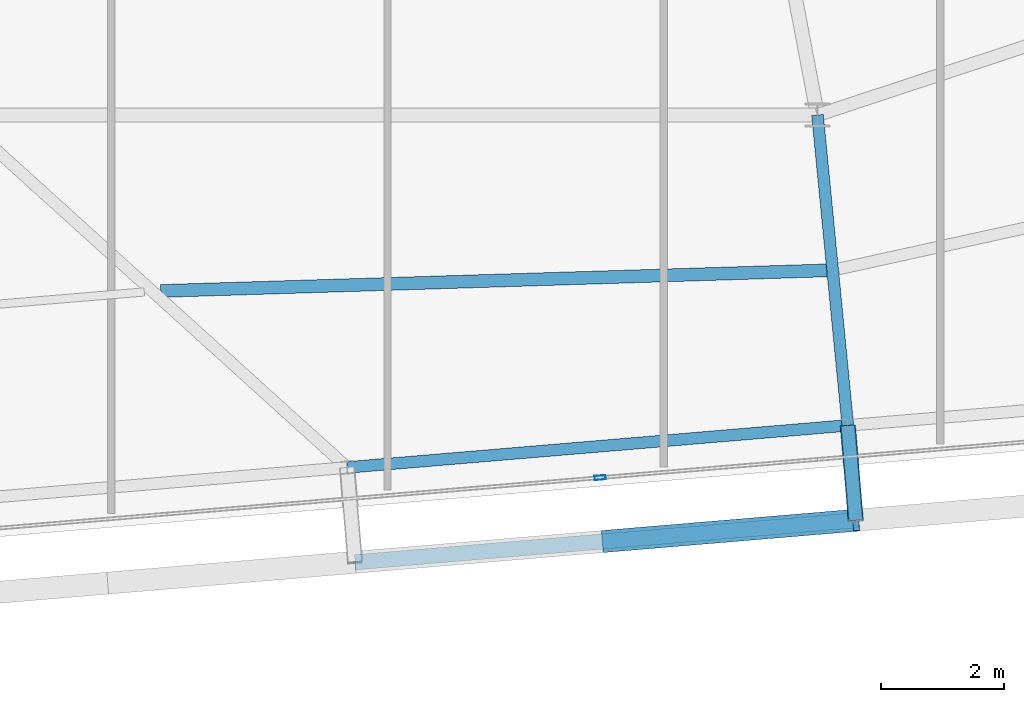
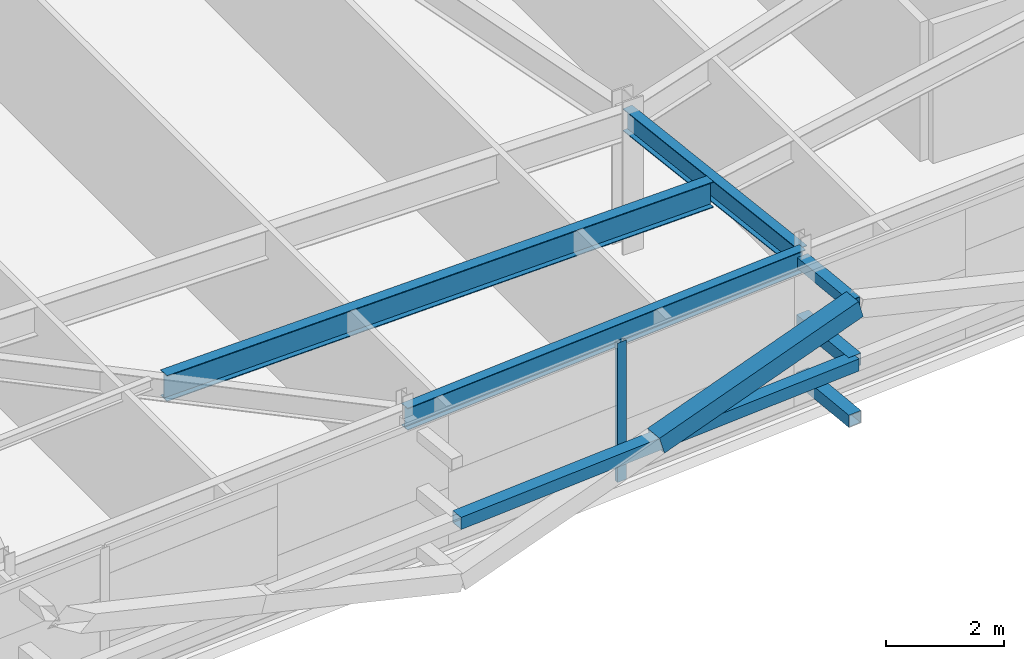
# One storey, part 10 of 39: 6 members, 3 beams, 1 element without a shape of its own.
"""IFC4 building model written with IfcOpenShell, lengths in metres."""

from ifc_helpers import new_model, si_unit, direction, frame, origin, origin_2d, place, context, subcontext, project, spatial, hollow_rectangle, i_section, extrude, source, transform, mapped, material, layer, layer_set, material_profile, profile_set, type_object, element, aggregate, save


model = new_model("IFC4")

# Units and contexts
model_context = context("Model", 3, precision=1e-05, world=origin(), true_north=direction((0.0, 1.0)))
body_context = subcontext(model_context, "Body", "Model", "MODEL_VIEW")
ifc_project = project(units=[si_unit("LENGTHUNIT", "METRE"), si_unit("AREAUNIT", "SQUARE_METRE"), si_unit("VOLUMEUNIT", "CUBIC_METRE"), si_unit("PLANEANGLEUNIT", "RADIAN"), si_unit("MASSUNIT", "GRAM", prefix="KILO")], contexts=[model_context])

# Site, building, storey
site_placement = place(None, origin())
site = spatial("IfcSite", under=ifc_project, at=site_placement, CompositionType="ELEMENT")
building_placement = place(site_placement, origin())
building = spatial("IfcBuilding", under=site, at=building_placement, Name="Taldren Reach Tower", CompositionType="ELEMENT")
storey_placement = place(building_placement, frame((0.0, 0.0, 204.050048828125)))
storey = spatial("IfcBuildingStorey", under=building, at=storey_placement, Name="L62", CompositionType="ELEMENT", Elevation=204.050048828125)

# Members
ifc_material_1 = material(Name="Steel Gr 350 (C350L0)", Category="steel")
ifc_material_profile_1 = material_profile(ifc_material_1, hollow_rectangle(XDim=0.25, YDim=0.25, WallThickness=0.010009765625, at=origin_2d()), Name="250x250x10.0SHS")
ifc_profile_set_1 = profile_set([ifc_material_profile_1], Name="Steel Gr 350 (C350L0)")
member_type_1 = type_object("IfcMemberType", Name="MB-POST250", PredefinedType="POST", material=ifc_profile_set_1)
shared_shape_1 = source(origin(), body_context, "Body", "SweptSolid", [
    extrude(hollow_rectangle(XDim=0.25, YDim=0.25, WallThickness=0.010009765625, at=origin_2d()), origin(), (0.0, 0.0, 1.0), 1.5498046875),
])
for number, where, z_axis, x_axis, name in (
    (1, (42.49365234375, 4.1474609375, 0.219970703125), (0.083645141657, -0.996495604746, 0.0), (0.996495604746, 0.083645141657, 0.0), "Exoskeleton base diaphragm tie strut B4-S4 L62"),
    (2, (42.49365234375, 4.1474609375, 1.405029296875), (0.083645141657, -0.996495604746, 0.0), (0.996495604746, 0.083645141657, 0.0), "Exoskeleton mid-tier diaphragm tie B4-S4 L62"),
):
    element("IfcMember", number, at=place(storey_placement, frame(where, z_axis=z_axis, x_axis=x_axis)), inside=storey, type_object=member_type_1, Name=name, PredefinedType="POST", context=body_context, shape_type="MappedRepresentation", body=[
        mapped(shared_shape_1, transform((0.0, 0.0, 0.0), scale=1.0)),
    ])

# Beams
ifc_material_2 = material(Name="Steel Gr 350 (350PLUS)", Category="steel")
ifc_material_profile_2 = material_profile(ifc_material_2, i_section(OverallWidth=0.18994140625, OverallDepth=0.4541015625, WebThickness=0.008544921875, FlangeThickness=0.0126953125, at=origin_2d()), Name="460UB67.1")
ifc_profile_set_2 = profile_set([ifc_material_profile_2], Name="Steel Gr 350 (350PLUS)")
beam_type_1 = type_object("IfcBeamType", Name="SP-UB460B", PredefinedType="SPANDREL", material=ifc_profile_set_2)
shared_shape_2 = source(origin(), body_context, "Body", "SweptSolid", [
    extrude(i_section(OverallWidth=0.18994140625, OverallDepth=0.4541015625, WebThickness=0.008544921875, FlangeThickness=0.0126953125, at=origin_2d()), origin(), (0.0, 0.0, 1.0), 8.18017578125),
])
beam_1_placement = place(storey_placement, frame((34.34228515625, 3.462890625, 2.64306640625), z_axis=(0.996492034688, 0.083687662192, 0.0), x_axis=(-0.083687662192, 0.996492034688, 0.0)))
element("IfcBeam", 3, at=beam_1_placement, inside=storey, type_object=beam_type_1, Name="Perimeter spandrel B4 S3-S4 L62", PredefinedType="SPANDREL", context=body_context, shape_type="MappedRepresentation", body=[
    mapped(shared_shape_2, transform((0.0, 0.0, 0.0), scale=1.0)),
])
ifc_material_profile_3 = material_profile(ifc_material_2, i_section(OverallWidth=0.19091796875, OverallDepth=0.4599609375, WebThickness=0.010009765625, FlangeThickness=0.01611328125, at=origin_2d()), Name="460UB82.1")
ifc_profile_set_3 = profile_set([ifc_material_profile_3], Name="Steel Gr 350 (350PLUS)")
beam_type_2 = type_object("IfcBeamType", Name="BM-UB460A", PredefinedType="BEAM", material=ifc_profile_set_3)
shared_shape_3 = source(origin(), body_context, "Body", "SweptSolid", [
    extrude(i_section(OverallWidth=0.19091796875, OverallDepth=0.4599609375, WebThickness=0.010009765625, FlangeThickness=0.01611328125, at=origin_2d()), origin(), (0.0, 0.0, 1.0), 5.07666015625),
])
beam_2_placement = place(storey_placement, frame((42.0, 9.199951171875, 2.639892578125), z_axis=(0.097241716644, -0.995260794236, 0.0), x_axis=(0.995260794236, 0.097241716644, 0.0)))
element("IfcBeam", 4, at=beam_2_placement, inside=storey, type_object=beam_type_2, Name="Primary floor girder B4-S4 L62", PredefinedType="BEAM", context=body_context, shape_type="MappedRepresentation", body=[
    mapped(shared_shape_3, transform((0.0, 0.0, 0.0), scale=1.0)),
])
ifc_material_profile_4 = material_profile(ifc_material_2, i_section(OverallWidth=0.208984375, OverallDepth=0.532958984375, WebThickness=0.01025390625, FlangeThickness=0.015625, at=origin_2d()), Name="530UB92.4")
ifc_profile_set_4 = profile_set([ifc_material_profile_4], Name="Steel Gr 350 (350PLUS)")
beam_type_3 = type_object("IfcBeamType", Name="BM-UB530A", PredefinedType="BEAM", material=ifc_profile_set_4)
shared_shape_4 = source(origin(), body_context, "Body", "SweptSolid", [
    extrude(i_section(OverallWidth=0.208984375, OverallDepth=0.532958984375, WebThickness=0.01025390625, FlangeThickness=0.015625, at=origin_2d()), origin(), (0.0, 0.0, 1.0), 10.847412109375),
])
beam_3_placement = place(storey_placement, frame((31.308837890625, 6.335693359375, 2.603515625), z_axis=(0.999522428572, 0.030901695439, 0.0), x_axis=(-0.030901695439, 0.999522428572, 0.0)))
element("IfcBeam", 5, at=beam_3_placement, inside=storey, type_object=beam_type_3, Name="Secondary floor beam B4 J3 L62", PredefinedType="BEAM", context=body_context, shape_type="MappedRepresentation", body=[
    mapped(shared_shape_4, transform((0.0, 0.0, 0.0), scale=1.0)),
])

# Members
ifc_material_3 = material(Name="Steel Gr 450 (C450L0)", Category="steel")
ifc_material_profile_5 = material_profile(ifc_material_3, hollow_rectangle(XDim=0.219970703125, YDim=0.219970703125, WallThickness=0.00830078125, at=origin_2d()), Name="220x220x8.2SHS")
ifc_profile_set_5 = profile_set([ifc_material_profile_5], Name="Steel Gr 450 (C450L0)")
member_type_2 = type_object("IfcMemberType", Name="MB-TIE219", PredefinedType="STRUT", material=ifc_profile_set_5)
shared_shape_5 = source(origin(), body_context, "Body", "SweptSolid", [
    extrude(hollow_rectangle(XDim=0.219970703125, YDim=0.219970703125, WallThickness=0.00830078125, at=origin_2d()), origin(), (0.0, 0.0, 1.0), 1.5498046875),
])
member_1_placement = place(storey_placement, frame((42.49365234375, 4.1474609375, 2.58984375), z_axis=(0.083645141657, -0.996495604746, 0.0), x_axis=(0.996495604746, 0.083645141657, 0.0)))
element("IfcMember", 6, at=member_1_placement, inside=storey, type_object=member_type_2, Name="Exoskeleton diaphragm tie strut B4-S4 L62", PredefinedType="STRUT", context=body_context, shape_type="MappedRepresentation", body=[
    mapped(shared_shape_5, transform((0.0, 0.0, 0.0), scale=1.0)),
])
shared_shape_6 = source(origin(), body_context, "Body", "SweptSolid", [
    extrude(hollow_rectangle(XDim=0.25, YDim=0.25, WallThickness=0.010009765625, at=origin_2d()), origin(), (0.0, 0.0, 1.0), 8.18017578125),
])
member_2_placement = place(storey_placement, frame((34.471923828125, 1.91845703125, 1.405029296875), z_axis=(0.996492034688, 0.083687662192, 0.0), x_axis=(-0.083687662192, 0.996492034688, 0.0)))
element("IfcMember", 7, at=member_2_placement, inside=storey, type_object=member_type_1, Name="Exoskeleton mid-height ring chord B4-S3 L62", PredefinedType="POST", context=body_context, shape_type="MappedRepresentation", body=[
    mapped(shared_shape_6, transform((0.0, 0.0, 0.0), scale=1.0)),
])
ifc_material_profile_6 = material_profile(ifc_material_3, hollow_rectangle(XDim=0.360107421875, YDim=0.360107421875, WallThickness=0.0126953125, at=origin_2d()), Name="360x360x12.7SHS")
ifc_profile_set_6 = profile_set([ifc_material_profile_6], Name="Steel Gr 450 (C450L0)")
member_type_3 = type_object("IfcMemberType", Name="MB-EXO356", PredefinedType="BRACE", material=ifc_profile_set_6)
shared_shape_7 = source(origin(), body_context, "Body", "SweptSolid", [
    extrude(hollow_rectangle(XDim=0.360107421875, YDim=0.360107421875, WallThickness=0.0126953125, at=origin_2d()), origin(), (0.0, 0.0, 1.0), 4.25830078125),
])
member_3_placement = place(storey_placement, frame((38.547607421875, 2.2607421875, 1.405029296875), z_axis=(0.957140989668, 0.080382872141, 0.278243993223), x_axis=(-0.083687662192, 0.996492034688, 0.0)))
element("IfcMember", 8, at=member_3_placement, inside=storey, type_object=member_type_3, Name="Exoskeleton Diagrid Brace B4-S3 L62", PredefinedType="BRACE", context=body_context, shape_type="MappedRepresentation", body=[
    mapped(shared_shape_7, transform((0.0, 0.0, 0.0), scale=1.0)),
])

# Curtain wall, member
ifc_material_4 = material(Name="Aluminium and Low-E Glass Unitised System", Category="aluminium")
ifc_layer = layer(ifc_material_4, 0.159912109375)
ifc_layer_set = layer_set([ifc_layer], Name="Aluminium and Low-E Glass Unitised System")
curtain_wall_type = type_object("IfcCurtainWallType", Name="CW-SYS-5", PredefinedType="NOTDEFINED", material=ifc_layer_set)
curtain_wall_placement = place(storey_placement, origin())
curtain_wall = element("IfcCurtainWall", 9, at=curtain_wall_placement, inside=storey, type_object=curtain_wall_type, Name="Unitised curtain wall CW-L62-S", PredefinedType="NOTDEFINED")
ifc_material_5 = material(Name="Anodised Aluminium 6063-T6", Category="aluminium")
ifc_material_profile_7 = material_profile(ifc_material_5, hollow_rectangle(XDim=0.070068359375, YDim=0.179931640625, WallThickness=0.00390625, at=origin_2d()), Name="ALU-180x70x4RHS")
ifc_profile_set_7 = profile_set([ifc_material_profile_7], Name="Anodised Aluminium 6063-T6")
member_type_4 = type_object("IfcMemberType", Name="CW-MUL-180", PredefinedType="MULLION", material=ifc_profile_set_7)
shared_shape_8 = source(origin(), body_context, "Body", "SweptSolid", [
    extrude(hollow_rectangle(XDim=0.070068359375, YDim=0.179931640625, WallThickness=0.00390625, at=origin_2d()), origin(), (0.0, 0.0, 1.0), 2.869873046875),
])
member_4_placement = place(storey_placement, frame((38.460693359375, 3.297119140625, 0.0), z_axis=(0.0, 0.0, 1.0), x_axis=(-0.083677894865, 0.996492854922, 0.0)))
member_4 = element("IfcMember", 10, at=member_4_placement, type_object=member_type_4, Name="CW-5 mullion 3", PredefinedType="MULLION", context=body_context, shape_type="MappedRepresentation", body=[
    mapped(shared_shape_8, transform((0.0, 0.0, 0.0), scale=1.0)),
])
aggregate(curtain_wall, [member_4])

save(model, "model.ifc")
